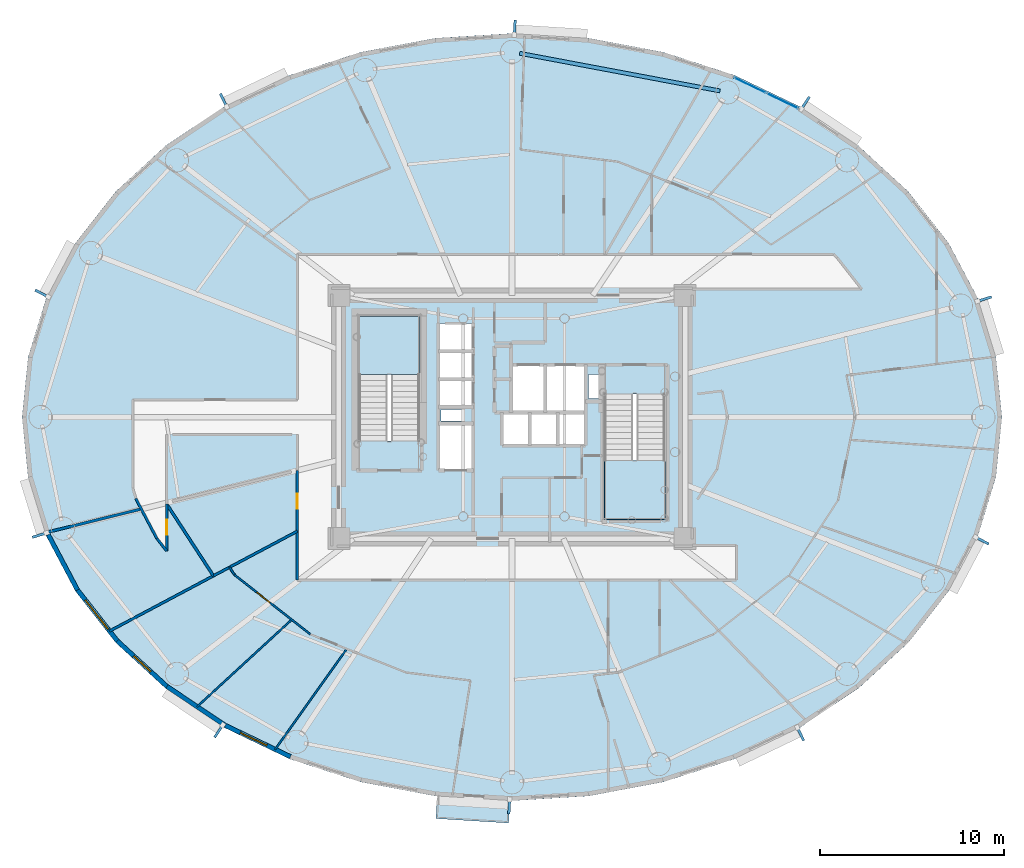
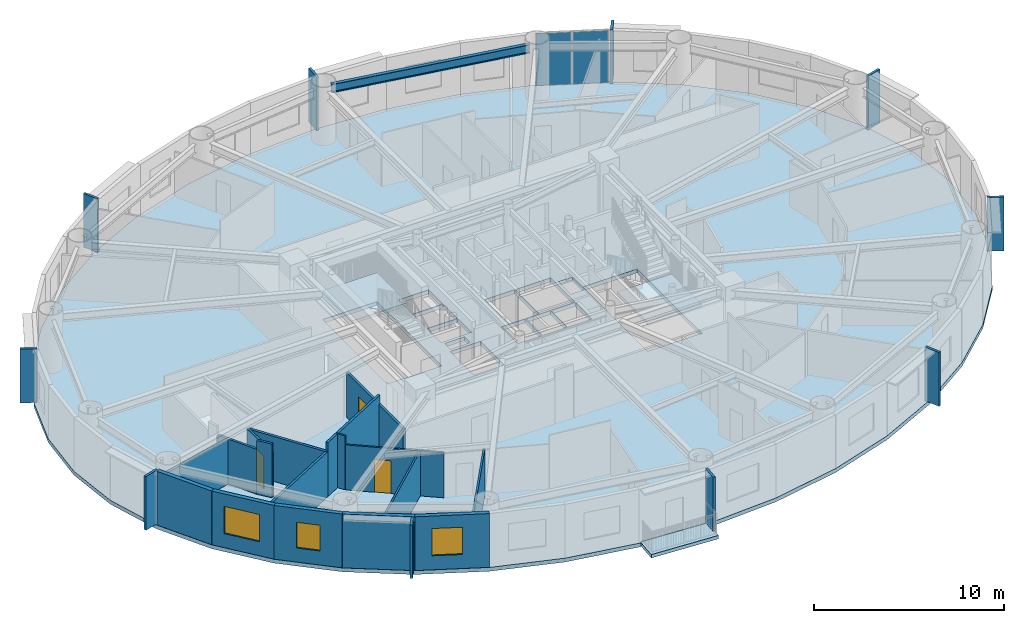
# One storey, part 5 of 17: 18 walls, 12 plates, 4 slabs, 3 doors, 3 windows, 1 beam, 6 openings, 3 elements without a shape of their own.
"""IFC4 building model written with IfcOpenShell, lengths in metres."""

from ifc_helpers import new_model, si_unit, direction, frame, frame_2d, origin, origin_2d, place, context, subcontext, project, spatial, polyline, rectangle, i_section, outline, extrude, source, transform, mapped, material, layer, layer_set, material_profile, profile_set, type_object, element, fill, aggregate, save


model = new_model("IFC4")

# Units and contexts
model_context = context("Model", 3, precision=1e-05, world=origin(), true_north=direction((0.0, 1.0)))
body_context = subcontext(model_context, "Body", "Model", "MODEL_VIEW")
ifc_project = project(units=[si_unit("LENGTHUNIT", "METRE"), si_unit("AREAUNIT", "SQUARE_METRE"), si_unit("VOLUMEUNIT", "CUBIC_METRE"), si_unit("PLANEANGLEUNIT", "RADIAN"), si_unit("MASSUNIT", "GRAM", prefix="KILO")], contexts=[model_context])

# Site, building, storey
site_placement = place(None, origin())
site = spatial("IfcSite", under=ifc_project, at=site_placement, CompositionType="ELEMENT")
building_placement = place(site_placement, origin())
building = spatial("IfcBuilding", under=site, at=building_placement, Name="Linh Dai School and Residence Tower", CompositionType="ELEMENT")
storey_placement = place(building_placement, frame((0.0, 0.0, 201.14990234375)))
storey = spatial("IfcBuildingStorey", under=building, at=storey_placement, Name="L49", CompositionType="ELEMENT", Elevation=201.14990234375)

# Beam
ifc_material_1 = material(Name="Structural Steel S355JR", Category="steel")
ifc_material_profile = material_profile(ifc_material_1, i_section(OverallWidth=0.2099609375, OverallDepth=0.550048828125, WebThickness=0.010986328125, FlangeThickness=0.01708984375, FilletRadius=0.02392578125, at=origin_2d()), Name="IPE 550")
ifc_profile_set = profile_set([ifc_material_profile], Name="Structural Steel S355JR")
beam_type = type_object("IfcBeamType", Name="BM-RB55", PredefinedType="BEAM", material=ifc_profile_set)
beam_placement = place(storey_placement, frame((47.292724609375, 44.70849609375, 3.175048828125), z_axis=(-0.98280721278, 0.184634727255, 0.0), x_axis=(-0.184634727255, -0.98280721278, 0.0)))
element("IfcBeam", 1, at=beam_placement, inside=storey, type_object=beam_type, Name="L49 Perimeter Elliptical Ring Beam 04", PredefinedType="BEAM", context=body_context, shape_type="SweptSolid", body=[
    extrude(i_section(OverallWidth=0.2099609375, OverallDepth=0.550048828125, WebThickness=0.010986328125, FlangeThickness=0.01708984375, FilletRadius=0.02392578125, at=origin_2d()), origin(), (0.0, 0.0, 1.0), 11.0703125),
])

# Slabs
ifc_material_2 = material(Name="Concrete B45 (C35/45)", Category="concrete")
ifc_layer_1 = layer(ifc_material_2, 0.219970703125)
ifc_layer_set_1 = layer_set([ifc_layer_1], Name="Concrete B45 (C35/45)")
slab_type_1 = type_object("IfcSlabType", Name="SLB-BALC-220", PredefinedType="FLOOR", material=ifc_layer_set_1)
slab_1_placement = place(storey_placement, frame((0.0, 0.0, -0.219970703125)))
element("IfcSlab", 2, at=slab_1_placement, inside=storey, type_object=slab_type_1, Name="L49 Sliding Balcony Slab 30", PredefinedType="FLOOR", context=body_context, shape_type="SweptSolid", body=[
    extrude(outline(polyline([(35.8974609375, 6.25634765625), (31.951171875, 6.49951171875), (31.871337890625, 5.201904296875), (35.8173828125, 4.958740234375), (35.8974609375, 6.25634765625)])), origin(), (0.0, 0.0, 1.0), 0.219970703125),
])
ifc_layer_2 = layer(ifc_material_2, 0.25)
ifc_layer_set_2 = layer_set([ifc_layer_2], Name="Concrete B45 (C35/45)")
slab_type_2 = type_object("IfcSlabType", Name="SLB-FLR250", PredefinedType="FLOOR", material=ifc_layer_set_2)
slab_2_placement = place(storey_placement, frame((0.0, 0.0, -0.25)))
element("IfcSlab", 3, at=slab_2_placement, inside=storey, type_object=slab_type_2, Name="L49 Composite Structural Floor Slab", PredefinedType="FLOOR", context=body_context, shape_type="SweptSolid", body=[
    extrude(outline(polyline([(62.60009765625, 27.0), (62.2724609375, 30.258544921875), (61.298095703125, 33.436767578125), (59.70068359375, 36.45654296875), (57.519775390625, 39.24365234375), (54.80908203125, 41.72900390625), (51.635009765625, 43.851806640625), (48.076171875, 45.5595703125), (44.219970703125, 46.810546875), (40.1611328125, 47.573486328125), (36.0, 47.830078125), (31.8388671875, 47.573486328125), (27.780029296875, 46.810546875), (23.923828125, 45.5595703125), (20.364990234375, 43.851806640625), (17.19091796875, 41.72900390625), (14.480224609375, 39.24365234375), (12.29931640625, 36.45654296875), (10.701904296875, 33.436767578125), (9.7275390625, 30.258544921875), (9.39990234375, 27.0), (9.7275390625, 23.741455078125), (10.701904296875, 20.563232421875), (12.29931640625, 17.54345703125), (14.480224609375, 14.75634765625), (17.19091796875, 12.27099609375), (20.364990234375, 10.148193359375), (23.923828125, 8.4404296875), (27.780029296875, 7.189453125), (31.8388671875, 6.426513671875), (36.0, 6.169921875), (40.1611328125, 6.426513671875), (44.219970703125, 7.189453125), (48.076171875, 8.4404296875), (51.635009765625, 10.148193359375), (54.80908203125, 12.27099609375), (57.519775390625, 14.75634765625), (59.70068359375, 17.54345703125), (61.298095703125, 20.563232421875), (62.2724609375, 23.741455078125), (62.60009765625, 27.0)]), holes=[polyline([(30.97998046875, 25.699951171875), (30.97998046875, 32.5), (27.679931640625, 32.5), (27.679931640625, 25.699951171875), (30.97998046875, 25.699951171875)]), polyline([(41.02001953125, 28.25), (41.02001953125, 21.449951171875), (44.320068359375, 21.449951171875), (44.320068359375, 28.25), (41.02001953125, 28.25)]), polyline([(35.97998046875, 27.280029296875), (37.77001953125, 27.280029296875), (37.77001953125, 29.820068359375), (35.97998046875, 29.820068359375), (35.97998046875, 27.280029296875)]), polyline([(32.030029296875, 24.1298828125), (33.8701171875, 24.1298828125), (33.8701171875, 26.6201171875), (32.030029296875, 26.6201171875), (32.030029296875, 24.1298828125)]), polyline([(37.830078125, 27.280029296875), (39.969970703125, 27.280029296875), (39.969970703125, 29.820068359375), (37.830078125, 29.820068359375), (37.830078125, 27.280029296875)]), polyline([(32.030029296875, 27.580078125), (33.8701171875, 27.580078125), (33.8701171875, 29.030029296875), (32.030029296875, 29.030029296875), (32.030029296875, 27.580078125)]), polyline([(32.030029296875, 29.090087890625), (33.8701171875, 29.090087890625), (33.8701171875, 30.550048828125), (32.030029296875, 30.550048828125), (32.030029296875, 29.090087890625)]), polyline([(32.030029296875, 30.610107421875), (33.8701171875, 30.610107421875), (33.8701171875, 32.070068359375), (32.030029296875, 32.070068359375), (32.030029296875, 30.610107421875)]), polyline([(35.47998046875, 25.47998046875), (36.929931640625, 25.47998046875), (36.929931640625, 27.219970703125), (35.47998046875, 27.219970703125), (35.47998046875, 25.47998046875)]), polyline([(36.989990234375, 25.47998046875), (38.449951171875, 25.47998046875), (38.449951171875, 27.219970703125), (36.989990234375, 27.219970703125), (36.989990234375, 25.47998046875)]), polyline([(38.510009765625, 25.47998046875), (39.969970703125, 25.47998046875), (39.969970703125, 27.219970703125), (38.510009765625, 27.219970703125), (38.510009765625, 25.47998046875)]), polyline([(40.14990234375, 28.0), (40.14990234375, 29.300048828125), (41.0, 29.300048828125), (41.0, 28.280029296875), (40.989990234375, 28.280029296875), (40.989990234375, 28.0), (40.14990234375, 28.0)]), polyline([(32.14990234375, 26.800048828125), (33.35009765625, 26.800048828125), (33.35009765625, 27.39990234375), (32.14990234375, 27.39990234375), (32.14990234375, 26.800048828125)])]), origin(), (0.0, 0.0, 1.0), 0.25),
])

# Stair, slab
stair_type = type_object("IfcStairType", Name="ST-DOG-1550-R1442", PredefinedType="HALF_TURN_STAIR", material=ifc_material_2)
stair_1_placement = place(storey_placement, origin())
stair_1 = element("IfcStair", 4, at=stair_1_placement, inside=storey, type_object=stair_type, Name="L49 Core Smokeproof Exit Stair ST1", PredefinedType="HALF_TURN_STAIR")
ifc_layer_3 = layer(ifc_material_2, 0.199951171875)
ifc_layer_set_3 = layer_set([ifc_layer_3], Name="Concrete B45 (C35/45)")
slab_type_3 = type_object("IfcSlabType", Name="SLB-ST-LANDING-200", PredefinedType="LANDING", material=ifc_layer_set_3)
slab_3_placement = place(storey_placement, frame((0.0, 0.0, 1.675048828125)))
slab_3 = element("IfcSlab", 5, at=slab_3_placement, type_object=slab_type_3, Name="ST1 landing 1", PredefinedType="LANDING", context=body_context, shape_type="SweptSolid", body=[
    extrude(outline(polyline([(30.97998046875, 29.300048828125), (30.97998046875, 32.5), (27.679931640625, 32.5), (27.679931640625, 29.300048828125), (30.97998046875, 29.300048828125)])), origin(), (0.0, 0.0, 1.0), 0.199951171875),
])
aggregate(stair_1, [slab_3])

stair_2_placement = place(storey_placement, origin())
stair_2 = element("IfcStair", 6, at=stair_2_placement, inside=storey, type_object=stair_type, Name="L49 Core Smokeproof Exit Stair ST2", PredefinedType="HALF_TURN_STAIR")
slab_4_placement = place(storey_placement, frame((0.0, 0.0, 1.675048828125)))
slab_4 = element("IfcSlab", 7, at=slab_4_placement, type_object=slab_type_3, Name="ST2 landing 1", PredefinedType="LANDING", context=body_context, shape_type="SweptSolid", body=[
    extrude(outline(polyline([(41.02001953125, 24.64990234375), (41.02001953125, 21.449951171875), (44.320068359375, 21.449951171875), (44.320068359375, 24.64990234375), (41.02001953125, 24.64990234375)])), origin(), (0.0, 0.0, 1.0), 0.199951171875),
])
aggregate(stair_2, [slab_4])

# Plates
ifc_material_3 = material(Name="Precast Concrete B45 (C35/45)", Category="concrete")
ifc_layer_4 = layer(ifc_material_3, 0.139892578125)
ifc_layer_set_4 = layer_set([ifc_layer_4], Name="Precast Concrete B45 (C35/45)")
plate_type_1 = type_object("IfcPlateType", Name="FIN-TC-900x140", PredefinedType="USERDEFINED", material=ifc_layer_set_4)
shared_shape_1 = source(origin(), body_context, "Body", "SweptSolid", [
    extrude(rectangle(XDim=0.89990234375, YDim=0.139892578125, at=origin_2d()), origin(), (0.0, 0.0, 1.0), 3.449951171875),
])
for number, where, z_axis, x_axis, name in (
    (8, (61.60986328125, 33.394287109375, 0.0), (0.0, 0.0, 1.0), (0.956075055167, 0.293121969301, 0.0), "L49 Precast Terracotta Radial Fin 02"),
    (9, (51.90087890625, 44.017333984375, 0.0), (0.0, 0.0, 1.0), (0.555931154932, 0.831228338651, 0.0), "L49 Precast Terracotta Radial Fin 06"),
    (10, (36.14501953125, 48.10693359375, 0.0), (0.0, 0.0, 1.0), (0.061512376467, 0.99810632076, 0.0), "L49 Precast Terracotta Radial Fin 10"),
    (11, (20.357421875, 44.164794921875, 0.0), (0.0, 0.0, 1.0), (-0.432634701653, 0.901569306779, 0.0), "L49 Precast Terracotta Radial Fin 14"),
    (12, (10.510986328125, 33.686767578125, 0.0), (0.0, 0.0, 1.0), (-0.883950726378, 0.467580060884, 0.0), "L49 Precast Terracotta Radial Fin 18"),
    (13, (10.39013671875, 20.605712890625, 0.0), (0.0, 0.0, 1.0), (-0.956075055167, -0.293121969301, 0.0), "L49 Precast Terracotta Radial Fin 22"),
    (14, (20.09912109375, 9.982666015625, 0.0), (0.0, 0.0, 1.0), (-0.555931154932, -0.831228338651, 0.0), "L49 Precast Terracotta Radial Fin 26"),
    (15, (35.85498046875, 5.89306640625, 0.0), (0.0, 0.0, 1.0), (-0.061512376467, -0.99810632076, 0.0), "L49 Precast Terracotta Radial Fin 30"),
    (16, (51.642578125, 9.835205078125, 0.0), (0.0, 0.0, 1.0), (0.432634701653, -0.901569306779, 0.0), "L49 Precast Terracotta Radial Fin 34"),
    (17, (61.489013671875, 20.313232421875, 0.0), (0.0, 0.0, 1.0), (0.883950726378, -0.467580060884, 0.0), "L49 Precast Terracotta Radial Fin 38"),
):
    element("IfcPlate", number, at=place(storey_placement, frame(where, z_axis=z_axis, x_axis=x_axis)), inside=storey, type_object=plate_type_1, Name=name, ObjectType="RADIAL FIN", PredefinedType="USERDEFINED", context=body_context, shape_type="MappedRepresentation", body=[
        mapped(shared_shape_1, transform((0.0, 0.0, 0.0), x_axis=(1.0, 0.0, 0.0), y_axis=(0.0, 1.0, 0.0), z_axis=(0.0, 0.0, 1.0), scale=1.0)),
    ])

# Curtain wall, plates
ifc_material_4 = material(Name="Aluminium Anodised Curtain Wall", Category="aluminium")
ifc_layer_5 = layer(ifc_material_4, 0.14990234375)
ifc_layer_set_5 = layer_set([ifc_layer_5], Name="Aluminium Anodised Curtain Wall")
curtain_wall_type = type_object("IfcCurtainWallType", Name="CW-SYS-4", PredefinedType="USERDEFINED", material=ifc_layer_set_5)
curtain_wall_placement = place(storey_placement, origin())
curtain_wall = element("IfcCurtainWall", 18, at=curtain_wall_placement, inside=storey, type_object=curtain_wall_type, Name="L49 CW4 Curtain Wall 07", ObjectType="RIBBON CURTAIN WALL", PredefinedType="USERDEFINED")
ifc_material_5 = material(Name="Double Low-E Insulated Glazing", Category="glass")
ifc_layer_6 = layer(ifc_material_5, 0.02587890625)
ifc_layer_set_6 = layer_set([ifc_layer_6], Name="Double Low-E Insulated Glazing")
plate_type_2 = type_object("IfcPlateType", Name="CW-SYS-4-PAN", PredefinedType="CURTAIN_PANEL", material=ifc_layer_set_6)
shared_shape_2 = source(origin(), body_context, "Body", "SweptSolid", [
    extrude(rectangle(XDim=1.88720703125, YDim=0.02587890625, at=origin_2d()), origin(), (0.0, 0.0, 1.0), 3.345947265625),
])
plate_1_placement = place(storey_placement, frame((48.927490234375, 45.012939453125, 0.05224609375), z_axis=(0.0, 0.0, 1.0), x_axis=(0.901569306779, -0.432634701653, 0.0)))
plate_1 = element("IfcPlate", 19, at=plate_1_placement, type_object=plate_type_2, Name="CW4 panel 1.1", PredefinedType="CURTAIN_PANEL", context=body_context, shape_type="MappedRepresentation", body=[
    mapped(shared_shape_2, transform((0.0, 0.0, 0.0), x_axis=(1.0, 0.0, 0.0), y_axis=(0.0, 1.0, 0.0), z_axis=(0.0, 0.0, 1.0), scale=1.0)),
])
plate_2_placement = place(storey_placement, frame((50.67578125, 44.173828125, 0.05224609375), z_axis=(0.0, 0.0, 1.0), x_axis=(0.901569306779, -0.432634701653, 0.0)))
plate_2 = element("IfcPlate", 20, at=plate_2_placement, type_object=plate_type_2, Name="CW4 panel 2.1", PredefinedType="CURTAIN_PANEL", context=body_context, shape_type="MappedRepresentation", body=[
    mapped(shared_shape_2, transform((0.0, 0.0, 0.0), x_axis=(1.0, 0.0, 0.0), y_axis=(0.0, 1.0, 0.0), z_axis=(0.0, 0.0, 1.0), scale=1.0)),
])
aggregate(curtain_wall, [plate_1, plate_2])

# Wall
ifc_layer_7 = layer(ifc_material_3, 0.239990234375)
ifc_layer_set_7 = layer_set([ifc_layer_7], Name="Precast Concrete B45 (C35/45)")
wall_type_1 = type_object("IfcWallType", Name="EW-TC-240", PredefinedType="SOLIDWALL", material=ifc_layer_set_7)
wall_1_placement = place(storey_placement, frame((12.404052734375, 17.611572265625, 0.0), z_axis=(0.0, 0.0, 1.0), x_axis=(-0.467586874938, 0.88394712194, 0.0)))
element("IfcWall", 21, at=wall_1_placement, inside=storey, type_object=wall_type_1, Name="L49 Terracotta Exterior Wall 23", PredefinedType="SOLIDWALL", context=body_context, shape_type="SweptSolid", body=[
    extrude(rectangle(XDim=3.393310546875, YDim=0.239990234375, at=frame_2d((1.69677734375, 0.0))), origin(), (0.0, 0.0, 1.0), 3.4501953125),
])

# Wall, opening, window
wall_2_placement = place(storey_placement, frame((14.57177734375, 14.841552734375, 0.0), z_axis=(0.0, 0.0, 1.0), x_axis=(-0.616287674549, 0.787521112224, 0.0)))
wall_2 = element("IfcWall", 22, at=wall_2_placement, inside=storey, type_object=wall_type_1, Name="L49 Terracotta Exterior Wall 24", PredefinedType="SOLIDWALL", context=body_context, shape_type="SweptSolid", body=[
    extrude(rectangle(XDim=3.517333984375, YDim=0.239990234375, at=frame_2d((1.7587890625, 0.0))), origin(), (0.0, 0.0, 1.0), 3.4501953125),
])
opening_1_placement = place(wall_2_placement, frame((0.818603515625, 0.0, 0.89990234375)))
opening_1 = element("IfcOpeningElement", 23, at=opening_1_placement, cuts=wall_2, Name="Opening W1", PredefinedType="OPENING", context=body_context, shape_type="SweptSolid", body=[
    extrude(rectangle(XDim=2.0, YDim=1.75, at=origin_2d()), frame((1.0, 0.1298828125, 0.875), z_axis=(0.0, -1.0, 0.0), x_axis=(1.0, 0.0, 0.0)), (0.0, 0.0, 1.0), 0.260009765625),
])
window_type_1 = type_object("IfcWindowType", Name="WN-RES-2000x1750", PartitioningType="DOUBLE_PANEL_VERTICAL", PredefinedType="WINDOW", material=ifc_material_5)
shared_shape_3 = source(origin(), body_context, "Body", "SweptSolid", [
    extrude(rectangle(XDim=2.0, YDim=1.75, at=origin_2d()), frame((1.0, 0.030029296875, 0.875), z_axis=(0.0, -1.0, 0.0), x_axis=(1.0, 0.0, 0.0)), (0.0, 0.0, 1.0), 0.06005859375),
])
window_1_placement = place(opening_1_placement, origin())
window_1 = element("IfcWindow", 24, at=window_1_placement, inside=storey, type_object=window_type_1, Name="L49 Exterior Window 24.1", OverallHeight=1.75, OverallWidth=2.0, PartitioningType="DOUBLE_PANEL_VERTICAL", PredefinedType="WINDOW", context=body_context, shape_type="MappedRepresentation", body=[
    mapped(shared_shape_3, transform((0.0, 0.0, 0.0), x_axis=(1.0, 0.0, 0.0), y_axis=(0.0, 1.0, 0.0), z_axis=(0.0, 0.0, 1.0), scale=1.0)),
])
fill(opening_1, window_1)

wall_3_placement = place(storey_placement, frame((17.26806640625, 12.369384765625, 0.0), z_axis=(0.0, 0.0, 1.0), x_axis=(-0.737076565834, 0.675809245349, 0.0)))
wall_3 = element("IfcWall", 25, at=wall_3_placement, inside=storey, type_object=wall_type_1, Name="L49 Terracotta Exterior Wall 25", PredefinedType="SOLIDWALL", context=body_context, shape_type="SweptSolid", body=[
    extrude(rectangle(XDim=3.658203125, YDim=0.239990234375, at=frame_2d((1.8291015625, 0.0))), origin(), (0.0, 0.0, 1.0), 3.4501953125),
])
opening_2_placement = place(wall_3_placement, frame((1.2041015625, 0.0, 0.89990234375)))
opening_2 = element("IfcOpeningElement", 26, at=opening_2_placement, cuts=wall_3, Name="Opening W3", PredefinedType="OPENING", context=body_context, shape_type="SweptSolid", body=[
    extrude(rectangle(XDim=1.25, YDim=1.64990234375, at=origin_2d()), frame((0.625, 0.1298828125, 0.824951171875), z_axis=(0.0, -1.0, 0.0), x_axis=(1.0, 0.0, 0.0)), (0.0, 0.0, 1.0), 0.260009765625),
])
window_type_2 = type_object("IfcWindowType", Name="WN-RES-1250x1650", PartitioningType="SINGLE_PANEL", PredefinedType="WINDOW", material=ifc_material_5)
shared_shape_4 = source(origin(), body_context, "Body", "SweptSolid", [
    extrude(rectangle(XDim=1.25, YDim=1.64990234375, at=origin_2d()), frame((0.625, 0.030029296875, 0.824951171875), z_axis=(0.0, -1.0, 0.0), x_axis=(1.0, 0.0, 0.0)), (0.0, 0.0, 1.0), 0.06005859375),
])
window_2_placement = place(opening_2_placement, origin())
window_2 = element("IfcWindow", 27, at=window_2_placement, inside=storey, type_object=window_type_2, Name="L49 Dwelling Window U4901-BD1", OverallHeight=1.64990234375, OverallWidth=1.25, PartitioningType="SINGLE_PANEL", PredefinedType="WINDOW", context=body_context, shape_type="MappedRepresentation", body=[
    mapped(shared_shape_4, transform((0.0, 0.0, 0.0), x_axis=(1.0, 0.0, 0.0), y_axis=(0.0, 1.0, 0.0), z_axis=(0.0, 0.0, 1.0), scale=1.0)),
])
fill(opening_2, window_2)

# Wall
wall_4_placement = place(storey_placement, frame((20.4267578125, 10.2568359375, 0.0), z_axis=(0.0, 0.0, 1.0), x_axis=(-0.831228998277, 0.555930168657, 0.0)))
element("IfcWall", 28, at=wall_4_placement, inside=storey, type_object=wall_type_1, Name="L49 Terracotta Exterior Wall 26", PredefinedType="SOLIDWALL", context=body_context, shape_type="SweptSolid", body=[
    extrude(rectangle(XDim=3.800048828125, YDim=0.239990234375, at=frame_2d((1.89990234375, 0.0))), origin(), (0.0, 0.0, 1.0), 3.4501953125),
])

# Wall, opening, window
wall_5_placement = place(storey_placement, frame((23.97021484375, 8.556396484375, 0.0), z_axis=(0.0, 0.0, 1.0), x_axis=(-0.901564733809, 0.432644231155, 0.0)))
wall_5 = element("IfcWall", 29, at=wall_5_placement, inside=storey, type_object=wall_type_1, Name="L49 Terracotta Exterior Wall 27", PredefinedType="SOLIDWALL", context=body_context, shape_type="SweptSolid", body=[
    extrude(rectangle(XDim=3.930419921875, YDim=0.239990234375, at=frame_2d((1.96533203125, 0.0))), origin(), (0.0, 0.0, 1.0), 3.4501953125),
])
opening_3_placement = place(wall_5_placement, frame((1.421142578125, 0.0, 0.89990234375)))
opening_3 = element("IfcOpeningElement", 30, at=opening_3_placement, cuts=wall_5, Name="Opening W2", PredefinedType="OPENING", context=body_context, shape_type="SweptSolid", body=[
    extrude(rectangle(XDim=1.60009765625, YDim=1.75, at=origin_2d()), frame((0.800048828125, 0.1298828125, 0.875), z_axis=(0.0, -1.0, 0.0), x_axis=(1.0, 0.0, 0.0)), (0.0, 0.0, 1.0), 0.260009765625),
])
window_type_3 = type_object("IfcWindowType", Name="WN-RES-1600x1750", PartitioningType="DOUBLE_PANEL_VERTICAL", PredefinedType="WINDOW", material=ifc_material_5)
shared_shape_5 = source(origin(), body_context, "Body", "SweptSolid", [
    extrude(rectangle(XDim=1.60009765625, YDim=1.75, at=origin_2d()), frame((0.800048828125, 0.030029296875, 0.875), z_axis=(0.0, -1.0, 0.0), x_axis=(1.0, 0.0, 0.0)), (0.0, 0.0, 1.0), 0.06005859375),
])
window_3_placement = place(opening_3_placement, origin())
window_3 = element("IfcWindow", 31, at=window_3_placement, inside=storey, type_object=window_type_3, Name="L49 Exterior Window 27.1", OverallHeight=1.75, OverallWidth=1.60009765625, PartitioningType="DOUBLE_PANEL_VERTICAL", PredefinedType="WINDOW", context=body_context, shape_type="MappedRepresentation", body=[
    mapped(shared_shape_5, transform((0.0, 0.0, 0.0), x_axis=(1.0, 0.0, 0.0), y_axis=(0.0, 1.0, 0.0), z_axis=(0.0, 0.0, 1.0), scale=1.0)),
])
fill(opening_3, window_3)

# Walls
ifc_material_6 = material(Name="Autoclaved Aerated Concrete Blockwork", Category="masonry")
ifc_layer_8 = layer(ifc_material_6, 0.135009765625)
ifc_layer_set_8 = layer_set([ifc_layer_8], Name="Autoclaved Aerated Concrete Blockwork")
wall_type_2 = type_object("IfcWallType", Name="IW-CORR-135-EI90", PredefinedType="PARTITIONING", material=ifc_layer_set_8)
wall_6_placement = place(storey_placement, frame((14.14453125, 15.379150390625, 0.0), z_axis=(0.0, 0.0, 1.0), x_axis=(0.882932689309, 0.469499591214, 0.0)))
element("IfcWall", 32, at=wall_6_placement, inside=storey, type_object=wall_type_2, Name="L49 Interior Partition Wall 002", PredefinedType="PARTITIONING", context=body_context, shape_type="SweptSolid", body=[
    extrude(rectangle(XDim=6.392333984375, YDim=0.135009765625, at=frame_2d((3.1962890625, 0.0))), origin(), (0.0, 0.0, 1.0), 2.885009765625),
])
wall_7_placement = place(storey_placement, frame((15.57421875, 22.577880859375, 0.0), z_axis=(0.0, 0.0, 1.0), x_axis=(0.467530807018, -0.883976778252, 0.0)))
element("IfcWall", 33, at=wall_7_placement, inside=storey, type_object=wall_type_2, Name="L49 Interior Partition Wall 006", PredefinedType="PARTITIONING", context=body_context, shape_type="SweptSolid", body=[
    extrude(rectangle(XDim=2.45166015625, YDim=0.135009765625, at=frame_2d((1.225830078125, 0.0))), origin(), (0.0, 0.0, 1.0), 2.885009765625),
])
wall_8_placement = place(storey_placement, frame((16.720458984375, 20.410888671875, 0.0), z_axis=(0.0, 0.0, 1.0), x_axis=(0.616377221056, -0.787451027914, 0.0)))
element("IfcWall", 34, at=wall_8_placement, inside=storey, type_object=wall_type_2, Name="L49 Interior Partition Wall 008", PredefinedType="PARTITIONING", context=body_context, shape_type="SweptSolid", body=[
    extrude(rectangle(XDim=0.859130859375, YDim=0.135009765625, at=frame_2d((0.4296875, 0.0))), origin(), (0.0, 0.0, 1.0), 3.4501953125),
])

# Wall, opening, door
wall_9_placement = place(storey_placement, frame((17.25, 19.734375, 0.0), z_axis=(0.0, 0.0, 1.0), x_axis=(0.0, 1.0, 0.0)))
wall_9 = element("IfcWall", 35, at=wall_9_placement, inside=storey, type_object=wall_type_2, Name="L49 Interior Partition Wall 009", PredefinedType="PARTITIONING", context=body_context, shape_type="SweptSolid", body=[
    extrude(rectangle(XDim=2.547607421875, YDim=0.135009765625, at=frame_2d((1.27392578125, 0.0))), origin(), (0.0, 0.0, 1.0), 2.885009765625),
])
opening_4_placement = place(wall_9_placement, frame((0.86376953125, 0.0, 0.0)))
opening_4 = element("IfcOpeningElement", 36, at=opening_4_placement, cuts=wall_9, Name="Opening D06", PredefinedType="OPENING", context=body_context, shape_type="SweptSolid", body=[
    extrude(rectangle(XDim=0.820068359375, YDim=2.10009765625, at=origin_2d()), frame((0.41015625, 0.07763671875, 1.050048828125), z_axis=(0.0, -1.0, 0.0), x_axis=(1.0, 0.0, 0.0)), (0.0, 0.0, 1.0), 0.155029296875),
])
ifc_material_7 = material(Name="Moisture-Resistant Timber Bathroom Door", Category="wood")
door_type_1 = type_object("IfcDoorType", Name="DR-WET-820x2100", OperationType="NOTDEFINED", PredefinedType="DOOR", material=ifc_material_7)
shared_shape_6 = source(origin(), body_context, "Body", "SweptSolid", [
    extrude(rectangle(XDim=0.820068359375, YDim=2.10009765625, at=origin_2d()), frame((0.41015625, 0.02490234375, 1.050048828125), z_axis=(0.0, -1.0, 0.0), x_axis=(1.0, 0.0, 0.0)), (0.0, 0.0, 1.0), 0.050048828125),
])
door_1_placement = place(opening_4_placement, origin())
door_1 = element("IfcDoor", 37, at=door_1_placement, inside=storey, type_object=door_type_1, Name="L49 Amenity Tea Salon Door", OperationType="SINGLE_SWING_RIGHT", OverallHeight=2.10009765625, OverallWidth=0.820068359375, PredefinedType="DOOR", context=body_context, shape_type="MappedRepresentation", body=[
    mapped(shared_shape_6, transform((0.0, 0.0, 0.0), x_axis=(1.0, 0.0, 0.0), y_axis=(0.0, 1.0, 0.0), z_axis=(0.0, 0.0, 1.0), scale=1.0)),
])
fill(opening_4, door_1)

# Walls
wall_10_placement = place(storey_placement, frame((19.797607421875, 18.385009765625, 0.0), z_axis=(0.0, 0.0, 1.0), x_axis=(0.882964446326, 0.469439864652, 0.0)))
element("IfcWall", 38, at=wall_10_placement, inside=storey, type_object=wall_type_2, Name="L49 Interior Partition Wall 012", PredefinedType="PARTITIONING", context=body_context, shape_type="SweptSolid", body=[
    extrude(rectangle(XDim=0.982421875, YDim=0.135009765625, at=frame_2d((0.4912109375, 0.0))), origin(), (0.0, 0.0, 1.0), 3.4501953125),
])
wall_11_placement = place(storey_placement, frame((20.673828125, 18.850830078125, 0.0), z_axis=(0.0, 0.0, 1.0), x_axis=(0.882934968765, 0.469495304483, 0.0)))
element("IfcWall", 39, at=wall_11_placement, inside=storey, type_object=wall_type_2, Name="L49 Interior Partition Wall 015", PredefinedType="PARTITIONING", context=body_context, shape_type="SweptSolid", body=[
    extrude(rectangle(XDim=4.16357421875, YDim=0.135009765625, at=frame_2d((2.081787109375, 0.0))), origin(), (0.0, 0.0, 1.0), 3.4501953125),
])

# Wall, opening, door
wall_12_placement = place(storey_placement, frame((24.35009765625, 18.14990234375, 0.0), z_axis=(0.0, 0.0, 1.0), x_axis=(0.0, 1.0, 0.0)))
wall_12 = element("IfcWall", 40, at=wall_12_placement, inside=storey, type_object=wall_type_2, Name="L49 Interior Partition Wall 019", PredefinedType="PARTITIONING", context=body_context, shape_type="SweptSolid", body=[
    extrude(rectangle(XDim=5.962646484375, YDim=0.135009765625, at=frame_2d((2.9814453125, 0.0))), origin(), (0.0, 0.0, 1.0), 2.885009765625),
])
opening_5_placement = place(wall_12_placement, frame((3.879150390625, 0.0, 0.0)))
opening_5 = element("IfcOpeningElement", 41, at=opening_5_placement, cuts=wall_12, Name="Opening D06", PredefinedType="OPENING", context=body_context, shape_type="SweptSolid", body=[
    extrude(rectangle(XDim=0.820068359375, YDim=2.10009765625, at=origin_2d()), frame((0.41015625, 0.07763671875, 1.050048828125), z_axis=(0.0, -1.0, 0.0), x_axis=(1.0, 0.0, 0.0)), (0.0, 0.0, 1.0), 0.155029296875),
])
door_2_placement = place(opening_5_placement, origin())
door_2 = element("IfcDoor", 42, at=door_2_placement, inside=storey, type_object=door_type_1, Name="L49 Amenity Accessible WC Door", OperationType="SINGLE_SWING_LEFT", OverallHeight=2.10009765625, OverallWidth=0.820068359375, PredefinedType="DOOR", context=body_context, shape_type="MappedRepresentation", body=[
    mapped(shared_shape_6, transform((0.0, 0.0, 0.0), x_axis=(1.0, 0.0, 0.0), y_axis=(0.0, 1.0, 0.0), z_axis=(0.0, 0.0, 1.0), scale=1.0)),
])
fill(opening_5, door_2)

# Walls
ifc_layer_9 = layer(ifc_material_6, 0.14990234375)
ifc_layer_set_9 = layer_set([ifc_layer_9], Name="Autoclaved Aerated Concrete Blockwork")
wall_type_3 = type_object("IfcWallType", Name="IW-SCH-150-EI60", PredefinedType="PARTITIONING", material=ifc_layer_set_9)
wall_13_placement = place(storey_placement, frame((10.7705078125, 20.7470703125, 0.0), z_axis=(0.0, 0.0, 1.0), x_axis=(0.970640303721, 0.240535653891, 0.0)))
element("IfcWall", 43, at=wall_13_placement, inside=storey, type_object=wall_type_3, Name="L49 Interior Partition Wall 001", PredefinedType="PARTITIONING", context=body_context, shape_type="SweptSolid", body=[
    extrude(rectangle(XDim=5.257568359375, YDim=0.14990234375, at=frame_2d((2.62890625, 0.0))), origin(), (0.0, 0.0, 1.0), 2.885009765625),
])
wall_14_placement = place(storey_placement, frame((17.279296875, 22.23681640625, 0.0), z_axis=(0.0, 0.0, 1.0), x_axis=(0.545383699519, -0.83818650687, 0.0)))
element("IfcWall", 44, at=wall_14_placement, inside=storey, type_object=wall_type_3, Name="L49 Interior Partition Wall 010", PredefinedType="PARTITIONING", context=body_context, shape_type="SweptSolid", body=[
    extrude(rectangle(XDim=4.600830078125, YDim=0.14990234375, at=frame_2d((2.30029296875, 0.0))), origin(), (0.0, 0.0, 1.0), 2.885009765625),
])
ifc_material_8 = material(Name="Gypsum Plasterboard Acoustic Stud Partition", Category="masonry")
ifc_layer_10 = layer(ifc_material_8, 0.10009765625)
ifc_layer_set_10 = layer_set([ifc_layer_10], Name="Gypsum Plasterboard Acoustic Stud Partition")
wall_type_4 = type_object("IfcWallType", Name="IW-UNIT-100", PredefinedType="PARTITIONING", material=ifc_layer_set_10)
wall_15_placement = place(storey_placement, frame((18.89892578125, 11.2724609375, 0.0), z_axis=(0.0, 0.0, 1.0), x_axis=(0.736047362481, 0.676930040834, 0.0)))
element("IfcWall", 45, at=wall_15_placement, inside=storey, type_object=wall_type_4, Name="L49 Interior Partition Wall 011", PredefinedType="PARTITIONING", context=body_context, shape_type="SweptSolid", body=[
    extrude(rectangle(XDim=6.9833984375, YDim=0.10009765625, at=frame_2d((3.49169921875, 0.0))), origin(), (0.0, 0.0, 1.0), 2.885009765625),
])
wall_16_placement = place(storey_placement, frame((20.6650390625, 18.84619140625, 0.0), z_axis=(0.0, 0.0, 1.0), x_axis=(0.545143704476, -0.838342615802, 0.0)))
element("IfcWall", 46, at=wall_16_placement, inside=storey, type_object=wall_type_4, Name="L49 Interior Partition Wall 014", PredefinedType="PARTITIONING", context=body_context, shape_type="SweptSolid", body=[
    extrude(rectangle(XDim=0.4970703125, YDim=0.10009765625, at=frame_2d((0.24853515625, 0.0))), origin(), (0.0, 0.0, 1.0), 3.4501953125),
])

# Wall, opening, door
wall_17_placement = place(storey_placement, frame((20.93603515625, 18.429443359375, 0.0), z_axis=(0.0, 0.0, 1.0), x_axis=(0.787322805473, -0.61654099619, 0.0)))
wall_17 = element("IfcWall", 47, at=wall_17_placement, inside=storey, type_object=wall_type_4, Name="L49 Interior Partition Wall 016", PredefinedType="PARTITIONING", context=body_context, shape_type="SweptSolid", body=[
    extrude(rectangle(XDim=5.232177734375, YDim=0.10009765625, at=frame_2d((2.6162109375, 0.0))), origin(), (0.0, 0.0, 1.0), 2.885009765625),
])
opening_6_placement = place(wall_17_placement, frame((1.54052734375, 0.0, 0.0)))
opening_6 = element("IfcOpeningElement", 48, at=opening_6_placement, cuts=wall_17, Name="Opening D05", PredefinedType="OPENING", context=body_context, shape_type="SweptSolid", body=[
    extrude(rectangle(XDim=0.89990234375, YDim=2.10009765625, at=origin_2d()), frame((0.449951171875, 0.06005859375, 1.050048828125), z_axis=(0.0, -1.0, 0.0), x_axis=(1.0, 0.0, 0.0)), (0.0, 0.0, 1.0), 0.1201171875),
])
ifc_material_9 = material(Name="Engineered Timber Internal Door", Category="wood")
door_type_2 = type_object("IfcDoorType", Name="DR-INT-900x2100", OperationType="NOTDEFINED", PredefinedType="DOOR", material=ifc_material_9)
shared_shape_7 = source(origin(), body_context, "Body", "SweptSolid", [
    extrude(rectangle(XDim=0.89990234375, YDim=2.10009765625, at=origin_2d()), frame((0.449951171875, 0.02490234375, 1.050048828125), z_axis=(0.0, -1.0, 0.0), x_axis=(1.0, 0.0, 0.0)), (0.0, 0.0, 1.0), 0.050048828125),
])
door_3_placement = place(opening_6_placement, origin())
door_3 = element("IfcDoor", 49, at=door_3_placement, inside=storey, type_object=door_type_2, Name="L49 Apartment U4901 Principal Bedroom 1 Door", OperationType="SINGLE_SWING_RIGHT", OverallHeight=2.10009765625, OverallWidth=0.89990234375, PredefinedType="DOOR", context=body_context, shape_type="MappedRepresentation", body=[
    mapped(shared_shape_7, transform((0.0, 0.0, 0.0), x_axis=(1.0, 0.0, 0.0), y_axis=(0.0, 1.0, 0.0), z_axis=(0.0, 0.0, 1.0), scale=1.0)),
])
fill(opening_6, door_3)

# Wall
wall_18_placement = place(storey_placement, frame((23.1357421875, 8.951416015625, 0.0), z_axis=(0.0, 0.0, 1.0), x_axis=(0.580415349728, 0.814320589081, 0.0)))
element("IfcWall", 50, at=wall_18_placement, inside=storey, type_object=wall_type_4, Name="L49 Interior Partition Wall 018", PredefinedType="PARTITIONING", context=body_context, shape_type="SweptSolid", body=[
    extrude(rectangle(XDim=6.710205078125, YDim=0.10009765625, at=frame_2d((3.35498046875, 0.0))), origin(), (0.0, 0.0, 1.0), 2.885009765625),
])

save(model, "model.ifc")
